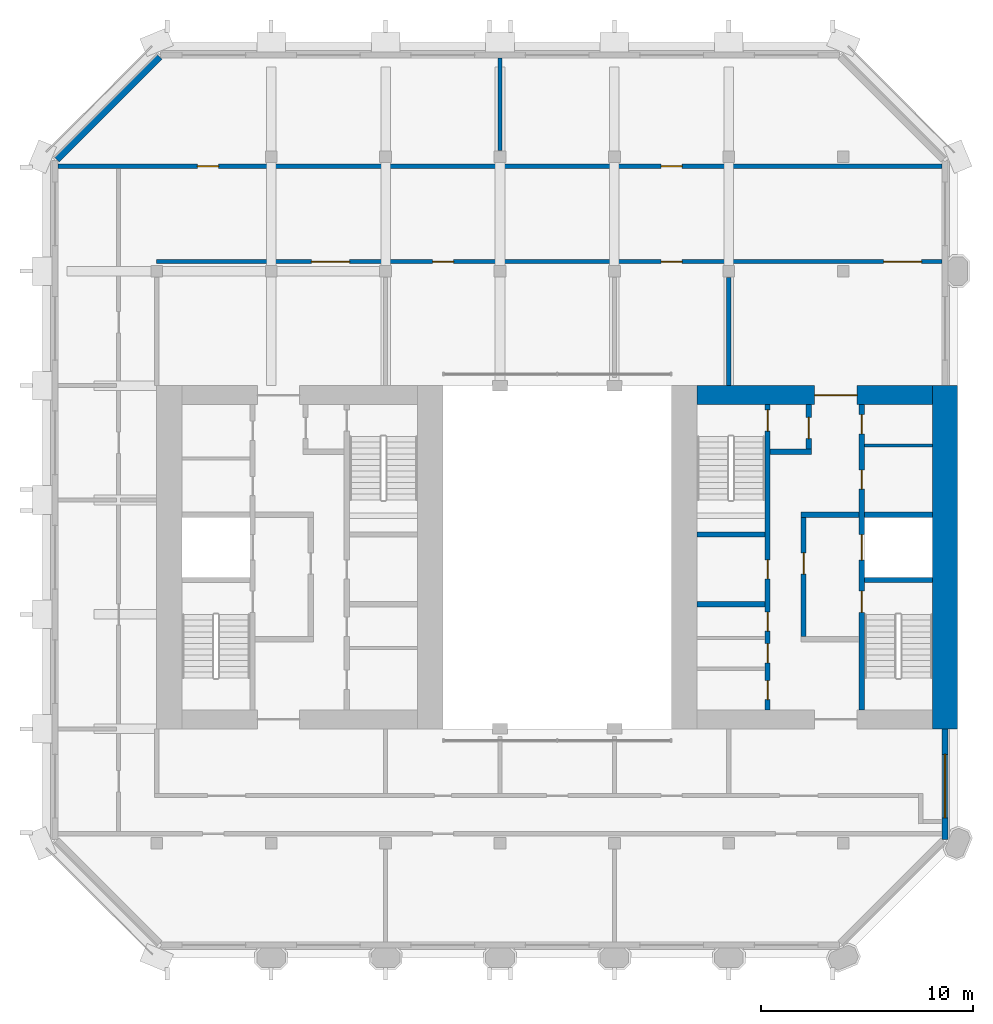
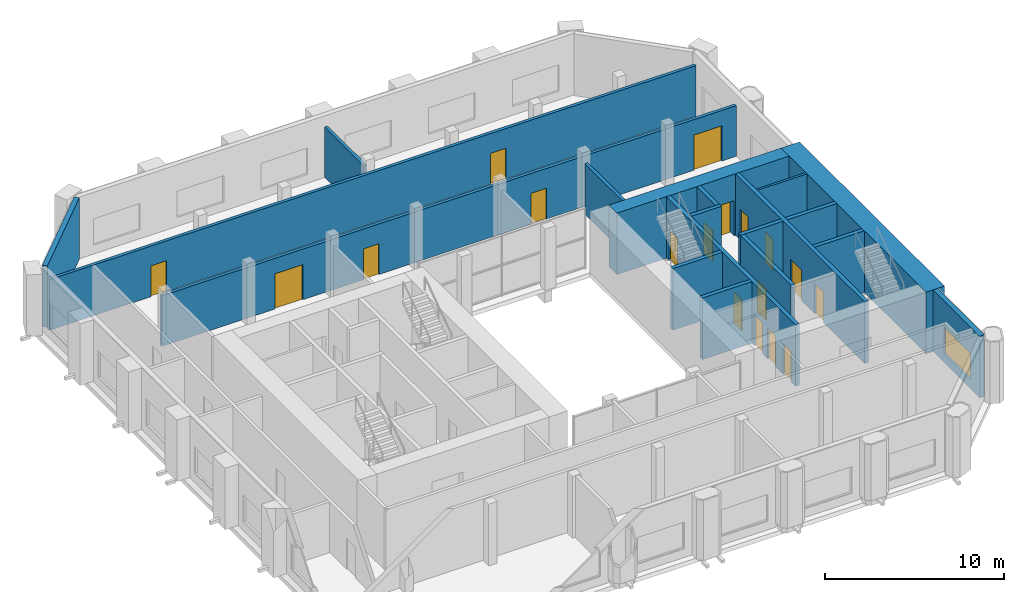
# One storey, part 8 of 11: 19 walls, 18 doors, 1 window, 19 openings.
"""IFC4 building model written with IfcOpenShell, lengths in metres."""

from ifc_helpers import new_model, si_unit, direction, frame, frame_2d, origin, place, context, subcontext, project, spatial, polyline, rectangle, outline, extrude, material, layer, layer_set, type_object, element, fill, save


model = new_model("IFC4")

# Units and contexts
model_context = context("Model", 3, precision=1e-05, world=origin(), true_north=direction((0.0, 1.0)))
body_context = subcontext(model_context, "Body", "Model", "MODEL_VIEW")
ifc_project = project(units=[si_unit("LENGTHUNIT", "METRE"), si_unit("AREAUNIT", "SQUARE_METRE"), si_unit("VOLUMEUNIT", "CUBIC_METRE"), si_unit("PLANEANGLEUNIT", "RADIAN"), si_unit("MASSUNIT", "GRAM", prefix="KILO")], contexts=[model_context])

# Site, building, storey
site_placement = place(None, origin())
site = spatial("IfcSite", under=ifc_project, at=site_placement, CompositionType="ELEMENT")
building_placement = place(site_placement, origin())
building = spatial("IfcBuilding", under=site, at=building_placement, Name="Tabaq Tower and Sports Hall", CompositionType="ELEMENT")
storey_placement = place(building_placement, frame((0.0, 0.0, 312.699951171875)))
storey = spatial("IfcBuildingStorey", under=building, at=storey_placement, Name="L78", CompositionType="ELEMENT", Elevation=312.699951171875)

# Walls
ifc_material_1 = material(Name="Blockwork", Category="masonry")
ifc_layer_1 = layer(ifc_material_1, 0.14990234375)
ifc_layer_set_1 = layer_set([ifc_layer_1], Name="Core room partition 150 Blockwork")
wall_type_1 = type_object("IfcWallType", Name="Core room partition 150 Blockwork", PredefinedType="PARTITIONING", material=ifc_layer_set_1)
wall_1_placement = place(storey_placement, frame((38.800048828125, 29.571044921875, 0.0), z_axis=(0.0, 0.0, 1.0), x_axis=(1.0, 0.0, 0.0)))
element("IfcWall", 1, at=wall_1_placement, inside=storey, type_object=wall_type_1, Name="Core room partition E L78", PredefinedType="PARTITIONING", context=body_context, shape_type="SweptSolid", body=[
    extrude(rectangle(XDim=3.199951171875, YDim=0.14990234375, at=frame_2d((1.60009765625, 0.0))), origin(), (0.0, 0.0, 1.0), 4.199951171875),
])
ifc_material_2 = material(Name="Concrete C40/50", Category="concrete")
ifc_layer_2 = layer(ifc_material_2, 1.199951171875)
ifc_layer_set_2 = layer_set([ifc_layer_2], Name="Core wall 1200 Concrete C40/50")
wall_type_2 = type_object("IfcWallType", Name="Core wall 1200 Concrete C40/50", PredefinedType="SOLIDWALL", material=ifc_layer_set_2)
wall_2_placement = place(storey_placement, frame((42.60009765625, 32.39990234375, 0.0), z_axis=(0.0, 0.0, 1.0), x_axis=(0.0, -1.0, 0.0)))
element("IfcWall", 2, at=wall_2_placement, inside=storey, type_object=wall_type_2, Name="Core wall E L78", PredefinedType="SOLIDWALL", context=body_context, shape_type="SweptSolid", body=[
    extrude(rectangle(XDim=16.199951171875, YDim=1.199951171875, at=frame_2d((8.10009765625, 0.0))), origin(), (0.0, 0.0, 1.0), 4.199951171875),
])

# Wall, opening, door
ifc_material_3 = material(Name="Concrete C40/50", Category="concrete")
ifc_layer_3 = layer(ifc_material_3, 0.89990234375)
ifc_layer_set_3 = layer_set([ifc_layer_3], Name="Core wall 900 Concrete C40/50")
wall_type_3 = type_object("IfcWallType", Name="Core wall 900 Concrete C40/50", PredefinedType="SOLIDWALL", material=ifc_layer_set_3)
wall_3_placement = place(storey_placement, frame((30.89990234375, 31.949951171875, 0.0), z_axis=(0.0, 0.0, 1.0), x_axis=(1.0, 0.0, 0.0)))
wall_3 = element("IfcWall", 3, at=wall_3_placement, inside=storey, type_object=wall_type_3, Name="Core wall E L78", PredefinedType="SOLIDWALL", context=body_context, shape_type="SweptSolid", body=[
    extrude(rectangle(XDim=11.10009765625, YDim=0.89990234375, at=frame_2d((5.550048828125, 0.0))), origin(), (0.0, 0.0, 1.0), 4.199951171875),
])
opening_1_placement = place(wall_3_placement, frame((5.550048828125, 0.0, 0.0)))
opening_1 = element("IfcOpeningElement", 4, at=opening_1_placement, cuts=wall_3, Name="Opening PD-EL78-02", PredefinedType="OPENING", context=body_context, shape_type="SweptSolid", body=[
    extrude(rectangle(XDim=2.0, YDim=2.39990234375, at=frame_2d((1.0, 1.199951171875))), frame((0.0, 0.449951171875, 0.0), z_axis=(0.0, -1.0, 0.0), x_axis=(1.0, 0.0, 0.0)), (0.0, 0.0, 1.0), 0.89990234375),
])
ifc_material_4 = material(Name="Steel fire door", Category="steel")
door_type_1 = type_object("IfcDoorType", Name="Core entrance door 2000", OperationType="DOUBLE_DOOR_SINGLE_SWING", PredefinedType="DOOR", material=ifc_material_4)
door_1_placement = place(opening_1_placement, origin())
door_1 = element("IfcDoor", 5, at=door_1_placement, inside=storey, type_object=door_type_1, Name="Core entrance north E L78", OperationType="DOUBLE_DOOR_SINGLE_SWING", OverallHeight=2.39990234375, OverallWidth=2.0, PredefinedType="DOOR", context=body_context, shape_type="SweptSolid", body=[
    extrude(rectangle(XDim=2.0, YDim=2.39990234375, at=frame_2d((1.0, 1.199951171875))), frame((0.0, 0.02490234375, 0.0), z_axis=(0.0, -1.0, 0.0), x_axis=(1.0, 0.0, 0.0)), (0.0, 0.0, 1.0), 0.050048828125),
])
fill(opening_1, door_1)

# Wall
ifc_material_5 = material(Name="Blockwork", Category="masonry")
ifc_layer_4 = layer(ifc_material_5, 0.199951171875)
ifc_layer_set_4 = layer_set([ifc_layer_4], Name="Fire compartment wall 200 Blockwork")
wall_type_4 = type_object("IfcWallType", Name="Fire compartment wall 200 Blockwork", PredefinedType="PARTITIONING", material=ifc_layer_set_4)
wall_4_placement = place(storey_placement, frame((21.60009765625, 47.84912109375, 0.0), z_axis=(0.0, 0.0, 1.0), x_axis=(0.0, -1.0, 0.0)))
element("IfcWall", 6, at=wall_4_placement, inside=storey, type_object=wall_type_4, Name="Compartment wall L78", PredefinedType="PARTITIONING", context=body_context, shape_type="SweptSolid", body=[
    extrude(rectangle(XDim=4.35400390625, YDim=0.199951171875, at=frame_2d((2.177001953125, 0.0))), origin(), (0.0, 0.0, 1.0), 3.449951171875),
])

# Wall, openings, doors
wall_5_placement = place(storey_placement, frame((42.448974609375, 42.75, 0.0), z_axis=(0.0, 0.0, 1.0), x_axis=(-1.0, 0.0, 0.0)))
wall_5 = element("IfcWall", 7, at=wall_5_placement, inside=storey, type_object=wall_type_4, Name="Compartment wall L78", PredefinedType="PARTITIONING", context=body_context, shape_type="SweptSolid", body=[
    extrude(rectangle(XDim=41.697998046875, YDim=0.199951171875, at=frame_2d((20.84912109375, 0.0))), origin(), (0.0, 0.0, 1.0), 3.449951171875),
])
opening_2_placement = place(wall_5_placement, frame((12.2490234375, 0.0, 0.0)))
opening_2 = element("IfcOpeningElement", 8, at=opening_2_placement, cuts=wall_5, Name="Opening L78-002", PredefinedType="OPENING", context=body_context, shape_type="SweptSolid", body=[
    extrude(rectangle(XDim=1.0, YDim=2.10009765625, at=frame_2d((0.5, 1.050048828125))), frame((0.0, 0.10009765625, 0.0), z_axis=(0.0, -1.0, 0.0), x_axis=(1.0, 0.0, 0.0)), (0.0, 0.0, 1.0), 0.199951171875),
])
opening_3_placement = place(wall_5_placement, frame((34.132080078125, 0.0, 0.0)))
opening_3 = element("IfcOpeningElement", 9, at=opening_3_placement, cuts=wall_5, Name="Opening L78-003", PredefinedType="OPENING", context=body_context, shape_type="SweptSolid", body=[
    extrude(rectangle(XDim=1.0, YDim=2.10009765625, at=frame_2d((0.5, 1.050048828125))), frame((0.0, 0.10009765625, 0.0), z_axis=(0.0, -1.0, 0.0), x_axis=(1.0, 0.0, 0.0)), (0.0, 0.0, 1.0), 0.199951171875),
])
ifc_material_6 = material(Name="Steel fire door", Category="steel")
door_type_2 = type_object("IfcDoorType", Name="Plant room door 1000 left hand", OperationType="SINGLE_SWING_LEFT", PredefinedType="DOOR", material=ifc_material_6)
door_2_placement = place(opening_2_placement, origin())
door_2 = element("IfcDoor", 10, at=door_2_placement, inside=storey, type_object=door_type_2, Name="Plant room door L78-002", OperationType="SINGLE_SWING_LEFT", OverallHeight=2.10009765625, OverallWidth=1.0, PredefinedType="DOOR", context=body_context, shape_type="SweptSolid", body=[
    extrude(rectangle(XDim=1.0, YDim=2.10009765625, at=frame_2d((0.5, 1.050048828125))), frame((0.0, 0.02490234375, 0.0), z_axis=(0.0, -1.0, 0.0), x_axis=(1.0, 0.0, 0.0)), (0.0, 0.0, 1.0), 0.050048828125),
])
fill(opening_2, door_2)
ifc_material_7 = material(Name="Steel fire door", Category="steel")
door_type_3 = type_object("IfcDoorType", Name="Plant room door 1000 right hand", OperationType="SINGLE_SWING_RIGHT", PredefinedType="DOOR", material=ifc_material_7)
door_3_placement = place(opening_3_placement, origin())
door_3 = element("IfcDoor", 11, at=door_3_placement, inside=storey, type_object=door_type_3, Name="Plant room door L78-003", OperationType="SINGLE_SWING_RIGHT", OverallHeight=2.10009765625, OverallWidth=1.0, PredefinedType="DOOR", context=body_context, shape_type="SweptSolid", body=[
    extrude(rectangle(XDim=1.0, YDim=2.10009765625, at=frame_2d((0.5, 1.050048828125))), frame((0.0, 0.02490234375, 0.0), z_axis=(0.0, -1.0, 0.0), x_axis=(1.0, 0.0, 0.0)), (0.0, 0.0, 1.0), 0.050048828125),
])
fill(opening_3, door_3)

# Wall
wall_6_placement = place(storey_placement, frame((32.39990234375, 32.39990234375, 0.0), z_axis=(0.0, 0.0, 1.0), x_axis=(0.0, 1.0, 0.0)))
element("IfcWall", 12, at=wall_6_placement, inside=storey, type_object=wall_type_4, Name="Compartment wall L78", PredefinedType="PARTITIONING", context=body_context, shape_type="SweptSolid", body=[
    extrude(rectangle(XDim=5.10498046875, YDim=0.199951171875, at=frame_2d((2.552490234375, 0.0))), origin(), (0.0, 0.0, 1.0), 3.449951171875),
])

# Wall, openings, doors
wall_7_placement = place(storey_placement, frame((42.448974609375, 38.25, 0.0), z_axis=(0.0, 0.0, 1.0), x_axis=(-1.0, 0.0, 0.0)))
wall_7 = element("IfcWall", 13, at=wall_7_placement, inside=storey, type_object=wall_type_4, Name="Compartment wall L78", PredefinedType="PARTITIONING", context=body_context, shape_type="SweptSolid", body=[
    extrude(rectangle(XDim=37.049072265625, YDim=0.199951171875, at=frame_2d((18.5244140625, 0.0))), origin(), (0.0, 0.0, 1.0), 3.449951171875),
])
opening_4_placement = place(wall_7_placement, frame((12.2490234375, 0.0, 0.0)))
opening_4 = element("IfcOpeningElement", 14, at=opening_4_placement, cuts=wall_7, Name="Opening L78-004", PredefinedType="OPENING", context=body_context, shape_type="SweptSolid", body=[
    extrude(rectangle(XDim=1.0, YDim=2.10009765625, at=frame_2d((0.5, 1.050048828125))), frame((0.0, 0.10009765625, 0.0), z_axis=(0.0, -1.0, 0.0), x_axis=(1.0, 0.0, 0.0)), (0.0, 0.0, 1.0), 0.199951171875),
])
opening_5_placement = place(wall_7_placement, frame((23.031982421875, 0.0, 0.0)))
opening_5 = element("IfcOpeningElement", 15, at=opening_5_placement, cuts=wall_7, Name="Opening L78-005", PredefinedType="OPENING", context=body_context, shape_type="SweptSolid", body=[
    extrude(rectangle(XDim=1.0, YDim=2.10009765625, at=frame_2d((0.5, 1.050048828125))), frame((0.0, 0.10009765625, 0.0), z_axis=(0.0, -1.0, 0.0), x_axis=(1.0, 0.0, 0.0)), (0.0, 0.0, 1.0), 0.199951171875),
])
opening_6_placement = place(wall_7_placement, frame((0.948974609375, 0.0, 0.0)))
opening_6 = element("IfcOpeningElement", 16, at=opening_6_placement, cuts=wall_7, Name="Opening L78-015", PredefinedType="OPENING", context=body_context, shape_type="SweptSolid", body=[
    extrude(rectangle(XDim=1.800048828125, YDim=2.39990234375, at=frame_2d((0.89990234375, 1.199951171875))), frame((0.0, 0.10009765625, 0.0), z_axis=(0.0, -1.0, 0.0), x_axis=(1.0, 0.0, 0.0)), (0.0, 0.0, 1.0), 0.199951171875),
])
opening_7_placement = place(wall_7_placement, frame((27.948974609375, 0.0, 0.0)))
opening_7 = element("IfcOpeningElement", 17, at=opening_7_placement, cuts=wall_7, Name="Opening L78-016", PredefinedType="OPENING", context=body_context, shape_type="SweptSolid", body=[
    extrude(rectangle(XDim=1.800048828125, YDim=2.39990234375, at=frame_2d((0.89990234375, 1.199951171875))), frame((0.0, 0.10009765625, 0.0), z_axis=(0.0, -1.0, 0.0), x_axis=(1.0, 0.0, 0.0)), (0.0, 0.0, 1.0), 0.199951171875),
])
door_4_placement = place(opening_4_placement, origin())
door_4 = element("IfcDoor", 18, at=door_4_placement, inside=storey, type_object=door_type_2, Name="Plant room door L78-004", OperationType="SINGLE_SWING_LEFT", OverallHeight=2.10009765625, OverallWidth=1.0, PredefinedType="DOOR", context=body_context, shape_type="SweptSolid", body=[
    extrude(rectangle(XDim=1.0, YDim=2.10009765625, at=frame_2d((0.5, 1.050048828125))), frame((0.0, 0.02490234375, 0.0), z_axis=(0.0, -1.0, 0.0), x_axis=(1.0, 0.0, 0.0)), (0.0, 0.0, 1.0), 0.050048828125),
])
fill(opening_4, door_4)
door_5_placement = place(opening_5_placement, origin())
door_5 = element("IfcDoor", 19, at=door_5_placement, inside=storey, type_object=door_type_3, Name="Plant room door L78-005", OperationType="SINGLE_SWING_RIGHT", OverallHeight=2.10009765625, OverallWidth=1.0, PredefinedType="DOOR", context=body_context, shape_type="SweptSolid", body=[
    extrude(rectangle(XDim=1.0, YDim=2.10009765625, at=frame_2d((0.5, 1.050048828125))), frame((0.0, 0.02490234375, 0.0), z_axis=(0.0, -1.0, 0.0), x_axis=(1.0, 0.0, 0.0)), (0.0, 0.0, 1.0), 0.050048828125),
])
fill(opening_5, door_5)
ifc_material_8 = material(Name="Steel fire door", Category="steel")
door_type_4 = type_object("IfcDoorType", Name="Plant room door 1800", OperationType="DOUBLE_DOOR_SINGLE_SWING", PredefinedType="DOOR", material=ifc_material_8)
door_6_placement = place(opening_6_placement, origin())
door_6 = element("IfcDoor", 20, at=door_6_placement, inside=storey, type_object=door_type_4, Name="Plant room door L78-015", OperationType="DOUBLE_DOOR_SINGLE_SWING", OverallHeight=2.39990234375, OverallWidth=1.800048828125, PredefinedType="DOOR", context=body_context, shape_type="SweptSolid", body=[
    extrude(rectangle(XDim=1.800048828125, YDim=2.39990234375, at=frame_2d((0.89990234375, 1.199951171875))), frame((0.0, 0.02490234375, 0.0), z_axis=(0.0, -1.0, 0.0), x_axis=(1.0, 0.0, 0.0)), (0.0, 0.0, 1.0), 0.050048828125),
])
fill(opening_6, door_6)
door_7_placement = place(opening_7_placement, origin())
door_7 = element("IfcDoor", 21, at=door_7_placement, inside=storey, type_object=door_type_4, Name="Plant room door L78-016", OperationType="DOUBLE_DOOR_SINGLE_SWING", OverallHeight=2.39990234375, OverallWidth=1.800048828125, PredefinedType="DOOR", context=body_context, shape_type="SweptSolid", body=[
    extrude(rectangle(XDim=1.800048828125, YDim=2.39990234375, at=frame_2d((0.89990234375, 1.199951171875))), frame((0.0, 0.02490234375, 0.0), z_axis=(0.0, -1.0, 0.0), x_axis=(1.0, 0.0, 0.0)), (0.0, 0.0, 1.0), 0.050048828125),
])
fill(opening_7, door_7)

ifc_material_9 = material(Name="Concrete C40/50", Category="concrete")
ifc_layer_5 = layer(ifc_material_9, 0.25)
ifc_layer_set_5 = layer_set([ifc_layer_5], Name="Shaft and stair wall 250 Concrete C40/50")
wall_type_5 = type_object("IfcWallType", Name="Shaft and stair wall 250 Concrete C40/50", PredefinedType="SOLIDWALL", material=ifc_layer_set_5)
wall_8_placement = place(storey_placement, frame((38.675048828125, 17.10009765625, 0.0), z_axis=(0.0, 0.0, 1.0), x_axis=(0.0, 1.0, 0.0)))
wall_8 = element("IfcWall", 22, at=wall_8_placement, inside=storey, type_object=wall_type_5, Name="Shaft wall E L78", PredefinedType="SOLIDWALL", context=body_context, shape_type="SweptSolid", body=[
    extrude(rectangle(XDim=14.39990234375, YDim=0.25, at=frame_2d((7.199951171875, 0.0))), origin(), (0.0, 0.0, 1.0), 4.199951171875),
])
opening_8_placement = place(wall_8_placement, frame((4.60009765625, 0.0, 0.0)))
opening_8 = element("IfcOpeningElement", 23, at=opening_8_placement, cuts=wall_8, Name="Opening SD-EL78-03", PredefinedType="OPENING", context=body_context, shape_type="SweptSolid", body=[
    extrude(rectangle(XDim=1.0, YDim=2.10009765625, at=frame_2d((0.5, 1.050048828125))), frame((0.0, 0.125, 0.0), z_axis=(0.0, -1.0, 0.0), x_axis=(1.0, 0.0, 0.0)), (0.0, 0.0, 1.0), 0.25),
])
opening_9_placement = place(wall_8_placement, frame((7.0625, 0.0, 0.0)))
opening_9 = element("IfcOpeningElement", 24, at=opening_9_placement, cuts=wall_8, Name="Opening LD-FF2-L78", PredefinedType="OPENING", context=body_context, shape_type="SweptSolid", body=[
    extrude(rectangle(XDim=1.199951171875, YDim=2.10009765625, at=frame_2d((0.60009765625, 1.050048828125))), frame((0.0, 0.125, 0.0), z_axis=(0.0, -1.0, 0.0), x_axis=(1.0, 0.0, 0.0)), (0.0, 0.0, 1.0), 0.25),
])
opening_10_placement = place(wall_8_placement, frame((10.410400390625, 0.0, 0.0)))
opening_10 = element("IfcOpeningElement", 25, at=opening_10_placement, cuts=wall_8, Name="Opening RD-EL78-08", PredefinedType="OPENING", context=body_context, shape_type="SweptSolid", body=[
    extrude(rectangle(XDim=0.89990234375, YDim=2.10009765625, at=frame_2d((0.449951171875, 1.050048828125))), frame((0.0, 0.125, 0.0), z_axis=(0.0, -1.0, 0.0), x_axis=(1.0, 0.0, 0.0)), (0.0, 0.0, 1.0), 0.25),
])
opening_11_placement = place(wall_8_placement, frame((13.02294921875, 0.0, 0.0)))
opening_11 = element("IfcOpeningElement", 26, at=opening_11_placement, cuts=wall_8, Name="Opening RD-EL78-09", PredefinedType="OPENING", context=body_context, shape_type="SweptSolid", body=[
    extrude(rectangle(XDim=0.89990234375, YDim=2.10009765625, at=frame_2d((0.449951171875, 1.050048828125))), frame((0.0, 0.125, 0.0), z_axis=(0.0, -1.0, 0.0), x_axis=(1.0, 0.0, 0.0)), (0.0, 0.0, 1.0), 0.25),
])
ifc_material_10 = material(Name="Steel fire door", Category="steel")
door_type_5 = type_object("IfcDoorType", Name="Core room door 900", OperationType="SINGLE_SWING_LEFT", PredefinedType="DOOR", material=ifc_material_10)
door_8_placement = place(opening_10_placement, origin())
door_8 = element("IfcDoor", 27, at=door_8_placement, inside=storey, type_object=door_type_5, Name="Door Electrical Room E L78", OperationType="SINGLE_SWING_LEFT", OverallHeight=2.10009765625, OverallWidth=0.89990234375, PredefinedType="DOOR", context=body_context, shape_type="SweptSolid", body=[
    extrude(rectangle(XDim=0.89990234375, YDim=2.10009765625, at=frame_2d((0.449951171875, 1.050048828125))), frame((0.0, 0.02490234375, 0.0), z_axis=(0.0, -1.0, 0.0), x_axis=(1.0, 0.0, 0.0)), (0.0, 0.0, 1.0), 0.050048828125),
])
fill(opening_10, door_8)
door_9_placement = place(opening_11_placement, origin())
door_9 = element("IfcDoor", 28, at=door_9_placement, inside=storey, type_object=door_type_5, Name="Door Comms Room E L78", OperationType="SINGLE_SWING_LEFT", OverallHeight=2.10009765625, OverallWidth=0.89990234375, PredefinedType="DOOR", context=body_context, shape_type="SweptSolid", body=[
    extrude(rectangle(XDim=0.89990234375, YDim=2.10009765625, at=frame_2d((0.449951171875, 1.050048828125))), frame((0.0, 0.02490234375, 0.0), z_axis=(0.0, -1.0, 0.0), x_axis=(1.0, 0.0, 0.0)), (0.0, 0.0, 1.0), 0.050048828125),
])
fill(opening_11, door_9)
ifc_material_11 = material(Name="Stainless steel", Category="steel")
door_type_6 = type_object("IfcDoorType", Name="Lift landing door 1200", OperationType="DOUBLE_DOOR_SLIDING", PredefinedType="DOOR", material=ifc_material_11)
door_10_placement = place(opening_9_placement, origin())
door_10 = element("IfcDoor", 29, at=door_10_placement, inside=storey, type_object=door_type_6, Name="Lift landing door FF2 E L78", OperationType="DOUBLE_DOOR_SLIDING", OverallHeight=2.10009765625, OverallWidth=1.199951171875, PredefinedType="DOOR", context=body_context, shape_type="SweptSolid", body=[
    extrude(rectangle(XDim=1.199951171875, YDim=2.10009765625, at=frame_2d((0.60009765625, 1.050048828125))), frame((0.0, 0.02490234375, 0.0), z_axis=(0.0, -1.0, 0.0), x_axis=(1.0, 0.0, 0.0)), (0.0, 0.0, 1.0), 0.050048828125),
])
fill(opening_9, door_10)
ifc_material_12 = material(Name="Steel fire door", Category="steel")
door_type_7 = type_object("IfcDoorType", Name="Stair door 1000", OperationType="SINGLE_SWING_LEFT", PredefinedType="DOOR", material=ifc_material_12)
door_11_placement = place(opening_8_placement, origin())
door_11 = element("IfcDoor", 30, at=door_11_placement, inside=storey, type_object=door_type_7, Name="Stair door ST3 E L78", OperationType="SINGLE_SWING_LEFT", OverallHeight=2.10009765625, OverallWidth=1.0, PredefinedType="DOOR", context=body_context, shape_type="SweptSolid", body=[
    extrude(rectangle(XDim=1.0, YDim=2.10009765625, at=frame_2d((0.5, 1.050048828125))), frame((0.0, 0.02490234375, 0.0), z_axis=(0.0, -1.0, 0.0), x_axis=(1.0, 0.0, 0.0)), (0.0, 0.0, 1.0), 0.050048828125),
])
fill(opening_8, door_11)

wall_9_placement = place(storey_placement, frame((34.22509765625, 17.10009765625, 0.0), z_axis=(0.0, 0.0, 1.0), x_axis=(0.0, 1.0, 0.0)))
wall_9 = element("IfcWall", 31, at=wall_9_placement, inside=storey, type_object=wall_type_5, Name="Shaft wall E L78", PredefinedType="SOLIDWALL", context=body_context, shape_type="SweptSolid", body=[
    extrude(rectangle(XDim=14.39990234375, YDim=0.25, at=frame_2d((7.199951171875, 0.0))), origin(), (0.0, 0.0, 1.0), 4.199951171875),
])
opening_12_placement = place(wall_9_placement, frame((13.14990234375, 0.0, 0.0)))
opening_12 = element("IfcOpeningElement", 32, at=opening_12_placement, cuts=wall_9, Name="Opening SD-EL78-05", PredefinedType="OPENING", context=body_context, shape_type="SweptSolid", body=[
    extrude(rectangle(XDim=1.0, YDim=2.10009765625, at=frame_2d((0.5, 1.050048828125))), frame((0.0, 0.125, 0.0), z_axis=(0.0, -1.0, 0.0), x_axis=(1.0, 0.0, 0.0)), (0.0, 0.0, 1.0), 0.25),
])
opening_13_placement = place(wall_9_placement, frame((0.482421875, 0.0, 0.0)))
opening_13 = element("IfcOpeningElement", 33, at=opening_13_placement, cuts=wall_9, Name="Opening RD-EL78-10", PredefinedType="OPENING", context=body_context, shape_type="SweptSolid", body=[
    extrude(rectangle(XDim=0.89990234375, YDim=2.10009765625, at=frame_2d((0.449951171875, 1.050048828125))), frame((0.0, 0.125, 0.0), z_axis=(0.0, -1.0, 0.0), x_axis=(1.0, 0.0, 0.0)), (0.0, 0.0, 1.0), 0.25),
])
opening_14_placement = place(wall_9_placement, frame((2.217529296875, 0.0, 0.0)))
opening_14 = element("IfcOpeningElement", 34, at=opening_14_placement, cuts=wall_9, Name="Opening RD-EL78-11", PredefinedType="OPENING", context=body_context, shape_type="SweptSolid", body=[
    extrude(rectangle(XDim=0.89990234375, YDim=2.10009765625, at=frame_2d((0.449951171875, 1.050048828125))), frame((0.0, 0.125, 0.0), z_axis=(0.0, -1.0, 0.0), x_axis=(1.0, 0.0, 0.0)), (0.0, 0.0, 1.0), 0.25),
])
opening_15_placement = place(wall_9_placement, frame((3.7099609375, 0.0, 0.0)))
opening_15 = element("IfcOpeningElement", 35, at=opening_15_placement, cuts=wall_9, Name="Opening RD-EL78-12", PredefinedType="OPENING", context=body_context, shape_type="SweptSolid", body=[
    extrude(rectangle(XDim=0.89990234375, YDim=2.10009765625, at=frame_2d((0.449951171875, 1.050048828125))), frame((0.0, 0.125, 0.0), z_axis=(0.0, -1.0, 0.0), x_axis=(1.0, 0.0, 0.0)), (0.0, 0.0, 1.0), 0.25),
])
opening_16_placement = place(wall_9_placement, frame((6.175048828125, 0.0, 0.0)))
opening_16 = element("IfcOpeningElement", 36, at=opening_16_placement, cuts=wall_9, Name="Opening RD-EL78-13", PredefinedType="OPENING", context=body_context, shape_type="SweptSolid", body=[
    extrude(rectangle(XDim=0.89990234375, YDim=2.10009765625, at=frame_2d((0.449951171875, 1.050048828125))), frame((0.0, 0.125, 0.0), z_axis=(0.0, -1.0, 0.0), x_axis=(1.0, 0.0, 0.0)), (0.0, 0.0, 1.0), 0.25),
])
door_12_placement = place(opening_13_placement, origin())
door_12 = element("IfcDoor", 37, at=door_12_placement, inside=storey, type_object=door_type_5, Name="Door Chiller Plant Room E L78", OperationType="SINGLE_SWING_LEFT", OverallHeight=2.10009765625, OverallWidth=0.89990234375, PredefinedType="DOOR", context=body_context, shape_type="SweptSolid", body=[
    extrude(rectangle(XDim=0.89990234375, YDim=2.10009765625, at=frame_2d((0.449951171875, 1.050048828125))), frame((0.0, 0.02490234375, 0.0), z_axis=(0.0, -1.0, 0.0), x_axis=(1.0, 0.0, 0.0)), (0.0, 0.0, 1.0), 0.050048828125),
])
fill(opening_13, door_12)
door_13_placement = place(opening_14_placement, origin())
door_13 = element("IfcDoor", 38, at=door_13_placement, inside=storey, type_object=door_type_5, Name="Door Pump Room E L78", OperationType="SINGLE_SWING_LEFT", OverallHeight=2.10009765625, OverallWidth=0.89990234375, PredefinedType="DOOR", context=body_context, shape_type="SweptSolid", body=[
    extrude(rectangle(XDim=0.89990234375, YDim=2.10009765625, at=frame_2d((0.449951171875, 1.050048828125))), frame((0.0, 0.02490234375, 0.0), z_axis=(0.0, -1.0, 0.0), x_axis=(1.0, 0.0, 0.0)), (0.0, 0.0, 1.0), 0.050048828125),
])
fill(opening_14, door_13)
door_14_placement = place(opening_15_placement, origin())
door_14 = element("IfcDoor", 39, at=door_14_placement, inside=storey, type_object=door_type_5, Name="Door Valve Room E L78", OperationType="SINGLE_SWING_LEFT", OverallHeight=2.10009765625, OverallWidth=0.89990234375, PredefinedType="DOOR", context=body_context, shape_type="SweptSolid", body=[
    extrude(rectangle(XDim=0.89990234375, YDim=2.10009765625, at=frame_2d((0.449951171875, 1.050048828125))), frame((0.0, 0.02490234375, 0.0), z_axis=(0.0, -1.0, 0.0), x_axis=(1.0, 0.0, 0.0)), (0.0, 0.0, 1.0), 0.050048828125),
])
fill(opening_15, door_14)
door_15_placement = place(opening_16_placement, origin())
door_15 = element("IfcDoor", 40, at=door_15_placement, inside=storey, type_object=door_type_5, Name="Door Riser Room E L78", OperationType="SINGLE_SWING_LEFT", OverallHeight=2.10009765625, OverallWidth=0.89990234375, PredefinedType="DOOR", context=body_context, shape_type="SweptSolid", body=[
    extrude(rectangle(XDim=0.89990234375, YDim=2.10009765625, at=frame_2d((0.449951171875, 1.050048828125))), frame((0.0, 0.02490234375, 0.0), z_axis=(0.0, -1.0, 0.0), x_axis=(1.0, 0.0, 0.0)), (0.0, 0.0, 1.0), 0.050048828125),
])
fill(opening_16, door_15)
door_16_placement = place(opening_12_placement, origin())
door_16 = element("IfcDoor", 41, at=door_16_placement, inside=storey, type_object=door_type_7, Name="Stair door ST4 E L78", OperationType="SINGLE_SWING_LEFT", OverallHeight=2.10009765625, OverallWidth=1.0, PredefinedType="DOOR", context=body_context, shape_type="SweptSolid", body=[
    extrude(rectangle(XDim=1.0, YDim=2.10009765625, at=frame_2d((0.5, 1.050048828125))), frame((0.0, 0.02490234375, 0.0), z_axis=(0.0, -1.0, 0.0), x_axis=(1.0, 0.0, 0.0)), (0.0, 0.0, 1.0), 0.050048828125),
])
fill(opening_12, door_16)

# Walls
wall_10_placement = place(storey_placement, frame((38.800048828125, 23.22509765625, 0.0), z_axis=(0.0, 0.0, 1.0), x_axis=(1.0, 0.0, 0.0)))
element("IfcWall", 42, at=wall_10_placement, inside=storey, type_object=wall_type_5, Name="Stair enclosure wall E L78", PredefinedType="SOLIDWALL", context=body_context, shape_type="SweptSolid", body=[
    extrude(rectangle(XDim=3.199951171875, YDim=0.25, at=frame_2d((1.60009765625, 0.0))), origin(), (0.0, 0.0, 1.0), 4.199951171875),
])
for number, where, z_axis, x_axis, name in (
    (43, (30.89990234375, 25.375, 0.0), (0.0, 0.0, 1.0), (1.0, 0.0, 0.0), "Stair enclosure wall E L78"),
    (44, (30.89990234375, 22.074951171875, 0.0), (0.0, 0.0, 1.0), (1.0, 0.0, 0.0), "Shaft wall E L78"),
):
    element("IfcWall", number, at=place(storey_placement, frame(where, z_axis=z_axis, x_axis=x_axis)), inside=storey, type_object=wall_type_5, Name=name, PredefinedType="SOLIDWALL", context=body_context, shape_type="SweptSolid", body=[
        extrude(rectangle(XDim=3.2001953125, YDim=0.25, at=frame_2d((1.60009765625, 0.0))), origin(), (0.0, 0.0, 1.0), 4.199951171875),
    ])
wall_11_placement = place(storey_placement, frame((38.800048828125, 26.300048828125, 0.0), z_axis=(0.0, 0.0, 1.0), x_axis=(1.0, 0.0, 0.0)))
element("IfcWall", 45, at=wall_11_placement, inside=storey, type_object=wall_type_5, Name="Shaft wall E L78", PredefinedType="SOLIDWALL", context=body_context, shape_type="SweptSolid", body=[
    extrude(rectangle(XDim=3.199951171875, YDim=0.25, at=frame_2d((1.60009765625, 0.0))), origin(), (0.0, 0.0, 1.0), 4.199951171875),
])
wall_12_placement = place(storey_placement, frame((35.800048828125, 26.300048828125, 0.0), z_axis=(0.0, 0.0, 1.0), x_axis=(1.0, 0.0, 0.0)))
element("IfcWall", 46, at=wall_12_placement, inside=storey, type_object=wall_type_5, Name="Fire-fighting lobby wall E L78", PredefinedType="SOLIDWALL", context=body_context, shape_type="SweptSolid", body=[
    extrude(rectangle(XDim=2.75, YDim=0.25, at=frame_2d((1.375, 0.0))), origin(), (0.0, 0.0, 1.0), 4.199951171875),
])

# Wall, opening, door
wall_13_placement = place(storey_placement, frame((36.175048828125, 29.39990234375, 0.0), z_axis=(0.0, 0.0, 1.0), x_axis=(0.0, 1.0, 0.0)))
wall_13 = element("IfcWall", 47, at=wall_13_placement, inside=storey, type_object=wall_type_5, Name="Fire-fighting lobby wall E L78", PredefinedType="SOLIDWALL", context=body_context, shape_type="SweptSolid", body=[
    extrude(rectangle(XDim=2.10009765625, YDim=0.25, at=frame_2d((1.050048828125, 0.0))), origin(), (0.0, 0.0, 1.0), 4.199951171875),
])
opening_17_placement = place(wall_13_placement, frame((0.5, 0.0, 0.0)))
opening_17 = element("IfcOpeningElement", 48, at=opening_17_placement, cuts=wall_13, Name="Opening FD-EL78-06", PredefinedType="OPENING", context=body_context, shape_type="SweptSolid", body=[
    extrude(rectangle(XDim=1.0, YDim=2.10009765625, at=frame_2d((0.5, 1.050048828125))), frame((0.0, 0.125, 0.0), z_axis=(0.0, -1.0, 0.0), x_axis=(1.0, 0.0, 0.0)), (0.0, 0.0, 1.0), 0.25),
])
ifc_material_13 = material(Name="Steel fire door", Category="steel")
door_type_8 = type_object("IfcDoorType", Name="Fire-fighting lobby door 1000", OperationType="SINGLE_SWING_LEFT", PredefinedType="DOOR", material=ifc_material_13)
door_17_placement = place(opening_17_placement, origin())
door_17 = element("IfcDoor", 49, at=door_17_placement, inside=storey, type_object=door_type_8, Name="Stair lobby door E L78", OperationType="SINGLE_SWING_LEFT", OverallHeight=2.10009765625, OverallWidth=1.0, PredefinedType="DOOR", context=body_context, shape_type="SweptSolid", body=[
    extrude(rectangle(XDim=1.0, YDim=2.10009765625, at=frame_2d((0.5, 1.050048828125))), frame((0.0, 0.02490234375, 0.0), z_axis=(0.0, -1.0, 0.0), x_axis=(1.0, 0.0, 0.0)), (0.0, 0.0, 1.0), 0.050048828125),
])
fill(opening_17, door_17)

# Wall
wall_14_placement = place(storey_placement, frame((34.35009765625, 29.27490234375, 0.0), z_axis=(0.0, 0.0, 1.0), x_axis=(1.0, 0.0, 0.0)))
element("IfcWall", 50, at=wall_14_placement, inside=storey, type_object=wall_type_5, Name="Fire-fighting lobby wall E L78", PredefinedType="SOLIDWALL", context=body_context, shape_type="SweptSolid", body=[
    extrude(rectangle(XDim=1.949951171875, YDim=0.25, at=frame_2d((0.97509765625, 0.0))), origin(), (0.0, 0.0, 1.0), 4.199951171875),
])

# Wall, opening, door
wall_15_placement = place(storey_placement, frame((35.925048828125, 20.550048828125, 0.0), z_axis=(0.0, 0.0, 1.0), x_axis=(0.0, 1.0, 0.0)))
wall_15 = element("IfcWall", 51, at=wall_15_placement, inside=storey, type_object=wall_type_5, Name="Fire-fighting lobby wall E L78", PredefinedType="SOLIDWALL", context=body_context, shape_type="SweptSolid", body=[
    extrude(rectangle(XDim=5.625, YDim=0.25, at=frame_2d((2.8125, 0.0))), origin(), (0.0, 0.0, 1.0), 4.199951171875),
])
opening_18_placement = place(wall_15_placement, frame((2.949951171875, 0.0, 0.0)))
opening_18 = element("IfcOpeningElement", 52, at=opening_18_placement, cuts=wall_15, Name="Opening FD-EL78-04", PredefinedType="OPENING", context=body_context, shape_type="SweptSolid", body=[
    extrude(rectangle(XDim=1.0, YDim=2.10009765625, at=frame_2d((0.5, 1.050048828125))), frame((0.0, 0.125, 0.0), z_axis=(0.0, -1.0, 0.0), x_axis=(1.0, 0.0, 0.0)), (0.0, 0.0, 1.0), 0.25),
])
door_18_placement = place(opening_18_placement, origin())
door_18 = element("IfcDoor", 53, at=door_18_placement, inside=storey, type_object=door_type_8, Name="Fire-fighting lobby door E L78", OperationType="SINGLE_SWING_LEFT", OverallHeight=2.10009765625, OverallWidth=1.0, PredefinedType="DOOR", context=body_context, shape_type="SweptSolid", body=[
    extrude(rectangle(XDim=1.0, YDim=2.10009765625, at=frame_2d((0.5, 1.050048828125))), frame((0.0, 0.02490234375, 0.0), z_axis=(0.0, -1.0, 0.0), x_axis=(1.0, 0.0, 0.0)), (0.0, 0.0, 1.0), 0.050048828125),
])
fill(opening_18, door_18)

# Wall, opening, window
ifc_material_14 = material(Name="White precast concrete C60/75", Category="concrete")
ifc_layer_6 = layer(ifc_material_14, 0.300048828125)
ifc_layer_set_6 = layer_set([ifc_layer_6], Name="White precast concrete C60/75 external wall 300")
wall_type_6 = type_object("IfcWallType", Name="White precast concrete C60/75 external wall 300", PredefinedType="SOLIDWALL", material=ifc_layer_set_6)
wall_16_placement = place(storey_placement, frame((42.60009765625, 10.986328125, 0.0), z_axis=(0.0, 0.0, 1.0), x_axis=(0.0, 1.0, 0.0)))
wall_16 = element("IfcWall", 54, at=wall_16_placement, inside=storey, type_object=wall_type_6, Name="External Wall L78 E", PredefinedType="SOLIDWALL", context=body_context, shape_type="SweptSolid", body=[
    extrude(outline(polyline([(0.0, 0.0), (5.213623046875, 0.0), (5.213623046875, 4.199951171875), (4.63427734375, 4.199951171875), (4.054931640625, 4.199951171875), (3.475830078125, 4.199951171875), (2.896484375, 4.199951171875), (2.317138671875, 4.199951171875), (1.73779296875, 4.199951171875), (1.15869140625, 4.199951171875), (0.579345703125, 4.199951171875), (0.0, 4.199951171875), (0.0, 0.0)])), frame((0.0, 0.14990234375, 0.0), z_axis=(0.0, -1.0, 0.0), x_axis=(1.0, 0.0, 0.0)), (0.0, 0.0, 1.0), 0.300048828125),
])
opening_19_placement = place(wall_16_placement, frame((1.013671875, 0.0, 0.60009765625)))
opening_19 = element("IfcOpeningElement", 55, at=opening_19_placement, cuts=wall_16, Name="Opening LV1", PredefinedType="OPENING", context=body_context, shape_type="SweptSolid", body=[
    extrude(rectangle(XDim=3.0, YDim=1.800048828125, at=frame_2d((1.5, 0.89990234375))), frame((0.0, 0.16015625, 0.0), z_axis=(0.0, -1.0, 0.0), x_axis=(1.0, 0.0, 0.0)), (0.0, 0.0, 1.0), 0.320068359375),
])
ifc_material_15 = material(Name="Aluminium alloy 6063-T6 louvre blades", Category="aluminium")
window_type = type_object("IfcWindowType", Name="Plant louvre LV1", PartitioningType="SINGLE_PANEL", PredefinedType="WINDOW", material=ifc_material_15)
window_placement = place(opening_19_placement, origin())
window = element("IfcWindow", 56, at=window_placement, inside=storey, type_object=window_type, Name="Plant louvre L78", OverallHeight=1.800048828125, OverallWidth=3.0, PartitioningType="SINGLE_PANEL", PredefinedType="WINDOW", context=body_context, shape_type="SweptSolid", body=[
    extrude(rectangle(XDim=3.0, YDim=1.800048828125, at=frame_2d((1.5, 0.89990234375))), frame((0.0, 0.030029296875, 0.0), z_axis=(0.0, -1.0, 0.0), x_axis=(1.0, 0.0, 0.0)), (0.0, 0.0, 1.0), 0.06005859375),
])
fill(opening_19, window)

# Wall
wall_17_placement = place(storey_placement, frame((5.549560546875, 47.901123046875, 0.0), z_axis=(0.0, 0.0, 1.0), x_axis=(-0.707106781187, -0.707106781187, 0.0)))
element("IfcWall", 57, at=wall_17_placement, inside=storey, type_object=wall_type_6, Name="External Wall L78 NW", PredefinedType="SOLIDWALL", context=body_context, shape_type="SweptSolid", body=[
    extrude(outline(polyline([(0.0, 0.0), (6.85986328125, 0.0), (6.859619140625, 4.199951171875), (6.2880859375, 4.199951171875), (5.71630859375, 4.199951171875), (5.144775390625, 4.199951171875), (4.5732421875, 4.199951171875), (4.00146484375, 4.199951171875), (3.429931640625, 4.199951171875), (2.858154296875, 4.199951171875), (2.28662109375, 4.199951171875), (1.71484375, 4.199951171875), (1.143310546875, 4.199951171875), (0.571533203125, 4.199951171875), (0.0, 4.199951171875), (0.0, 0.0)])), frame((0.0, 0.14990234375, 0.0), z_axis=(0.0, -1.0, 0.0), x_axis=(1.0, 0.0, 0.0)), (0.0, 0.0, 1.0), 0.300048828125),
])

save(model, "model.ifc")
